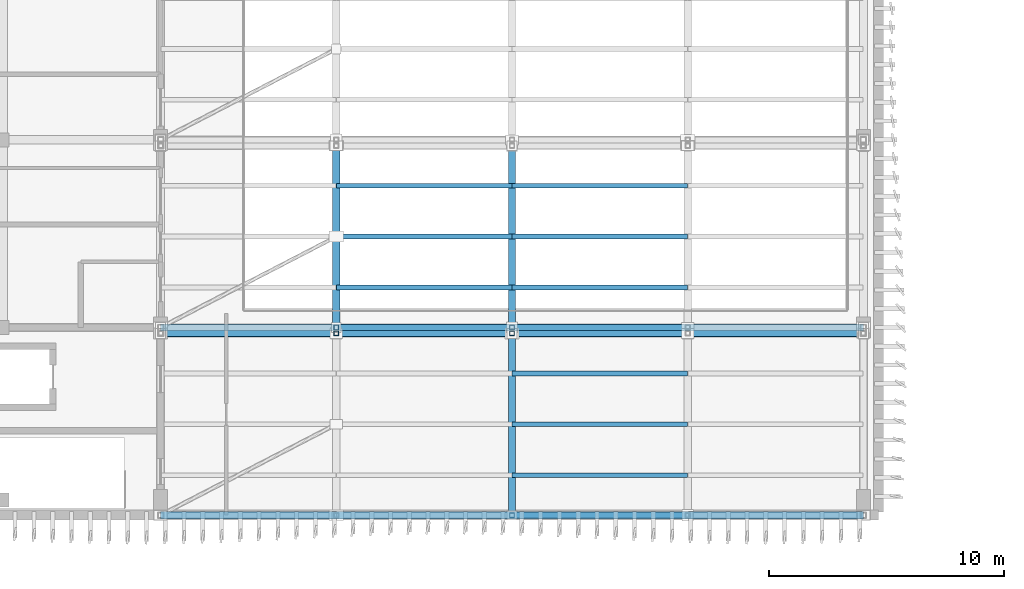
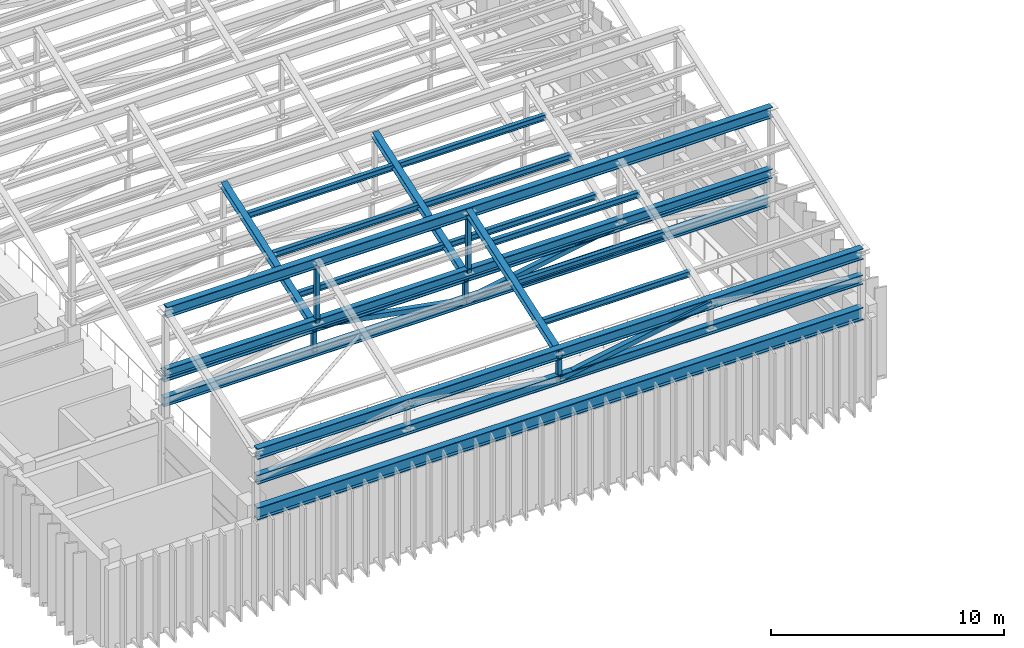
# One storey, part 4 of 76: 26 members, 1 beam.
"""IFC4 building model written with IfcOpenShell, lengths in metres."""

from ifc_helpers import new_model, si_unit, direction, frame, origin, origin_2d, place, context, subcontext, project, spatial, hollow_rectangle, i_section, extrude, material, material_profile, profile_set, type_object, element, save


model = new_model("IFC4")

# Units and contexts
model_context = context("Model", 3, precision=1e-05, world=origin(), true_north=direction((0.0, 1.0)))
body_context = subcontext(model_context, "Body", "Model", "MODEL_VIEW")
ifc_project = project(units=[si_unit("LENGTHUNIT", "METRE"), si_unit("AREAUNIT", "SQUARE_METRE"), si_unit("VOLUMEUNIT", "CUBIC_METRE"), si_unit("PLANEANGLEUNIT", "RADIAN"), si_unit("MASSUNIT", "GRAM", prefix="KILO")], contexts=[model_context])

# Site, building, storey
site_placement = place(None, origin())
site = spatial("IfcSite", under=ifc_project, at=site_placement, CompositionType="ELEMENT")
building_placement = place(site_placement, origin())
building = spatial("IfcBuilding", under=site, at=building_placement, Name="Cinchona Park Media Centre", CompositionType="ELEMENT")
storey_placement = place(building_placement, frame((0.0, 0.0, 15.60009765625)))
storey = spatial("IfcBuildingStorey", under=building, at=storey_placement, Name="L03", CompositionType="ELEMENT", Elevation=15.60009765625)

# Beam
ifc_material_1 = material(Name="Steel S355", Category="steel")
ifc_material_profile_1 = material_profile(ifc_material_1, i_section(OverallWidth=0.3291015625, OverallDepth=0.635009765625, WebThickness=0.017822265625, FlangeThickness=0.031005859375, at=origin_2d()), Name="W610X241")
ifc_profile_set_1 = profile_set([ifc_material_profile_1], Name="Steel S355")
beam_type = type_object("IfcBeamType", Name="BEAM-B05-W610X241", PredefinedType="BEAM", material=ifc_profile_set_1)
beam_placement = place(storey_placement, frame((15.39990234375, 7.60009765625, 4.47998046875), z_axis=(1.0, 0.0, 0.0), x_axis=(0.0, 1.0, 0.0)))
element("IfcBeam", 1, at=beam_placement, inside=storey, type_object=beam_type, Name="Sawtooth Crest Spandrel Girder B05 V1", PredefinedType="BEAM", context=body_context, shape_type="SweptSolid", body=[
    extrude(i_section(OverallWidth=0.3291015625, OverallDepth=0.635009765625, WebThickness=0.017822265625, FlangeThickness=0.031005859375, at=origin_2d()), origin(), (0.0, 0.0, 1.0), 29.960205078125),
])

# Members
ifc_material_2 = material(Name="Steel S355", Category="steel")
ifc_material_profile_2 = material_profile(ifc_material_2, i_section(OverallWidth=0.202880859375, OverallDepth=0.302978515625, WebThickness=0.007568359375, FlangeThickness=0.01318359375, at=origin_2d()), Name="W310X60")
ifc_profile_set_2 = profile_set([ifc_material_profile_2], Name="Steel S355")
member_type_1 = type_object("IfcMemberType", Name="MEMBER-PR01-W310X60", PredefinedType="PURLIN", material=ifc_profile_set_2)
for number, where, z_axis, x_axis, name in (
    (2, (30.389892578125, 9.304931640625, 8.1123046875), (1.0, 0.0, 0.0), (0.0, 1.0, 0.0), "Sawtooth Roof Purlin PR01"),
    (3, (30.389892578125, 11.47509765625, 8.868408203125), (1.0, 0.0, 0.0), (0.0, 1.0, 0.0), "Sawtooth Roof Purlin PR01"),
    (4, (30.389892578125, 13.64501953125, 9.62451171875), (1.0, 0.0, 0.0), (0.0, 1.0, 0.0), "Sawtooth Roof Purlin PR01"),
    (5, (22.89990234375, 17.304931640625, 7.3125), (1.0, 0.0, 0.0), (0.0, 1.0, 0.0), "Sawtooth Roof Purlin PR01"),
    (6, (30.389892578125, 17.304931640625, 7.3125), (1.0, 0.0, 0.0), (0.0, 1.0, 0.0), "Sawtooth Roof Purlin PR01"),
    (7, (22.89990234375, 19.47509765625, 8.068359375), (1.0, 0.0, 0.0), (0.0, 1.0, 0.0), "Sawtooth Roof Purlin PR01"),
    (8, (30.389892578125, 19.47509765625, 8.068359375), (1.0, 0.0, 0.0), (0.0, 1.0, 0.0), "Sawtooth Roof Purlin PR01"),
    (9, (22.89990234375, 21.64501953125, 8.824462890625), (1.0, 0.0, 0.0), (0.0, 1.0, 0.0), "Sawtooth Roof Purlin PR01"),
    (10, (30.389892578125, 21.64501953125, 8.824462890625), (1.0, 0.0, 0.0), (0.0, 1.0, 0.0), "Sawtooth Roof Purlin PR01"),
):
    element("IfcMember", number, at=place(storey_placement, frame(where, z_axis=z_axis, x_axis=x_axis)), inside=storey, type_object=member_type_1, Name=name, PredefinedType="PURLIN", context=body_context, shape_type="SweptSolid", body=[
        extrude(i_section(OverallWidth=0.202880859375, OverallDepth=0.302978515625, WebThickness=0.007568359375, FlangeThickness=0.01318359375, at=origin_2d()), origin(), (0.0, 0.0, 1.0), 7.47021484375),
    ])
ifc_material_3 = material(Name="Steel S355", Category="steel")
ifc_material_profile_3 = material_profile(ifc_material_3, i_section(OverallWidth=0.318115234375, OverallDepth=0.56005859375, WebThickness=0.018310546875, FlangeThickness=0.029296875, at=origin_2d()), Name="W530X219")
ifc_profile_set_3 = profile_set([ifc_material_profile_3], Name="Steel S355")
member_type_2 = type_object("IfcMemberType", Name="MEMBER-TC01-W530X219", PredefinedType="CHORD", material=ifc_profile_set_3)
for number, where, z_axis, x_axis, name in (
    (11, (15.39990234375, 7.60009765625, 7.599853515625), (1.0, 0.0, 0.0), (0.0, 1.0, 0.0), "ROOF TRUSS Top Chord V1 B1"),
    (12, (15.39990234375, 15.35009765625, 10.2998046875), (1.0, 0.0, 0.0), (0.0, 1.0, 0.0), "ROOF TRUSS Ridge Chord V1 Bay 1"),
    (13, (15.39990234375, 15.60009765625, 6.7998046875), (1.0, 0.0, 0.0), (0.0, 1.0, 0.0), "ROOF TRUSS Top Chord V1 B2"),
):
    element("IfcMember", number, at=place(storey_placement, frame(where, z_axis=z_axis, x_axis=x_axis)), inside=storey, type_object=member_type_2, Name=name, PredefinedType="CHORD", context=body_context, shape_type="SweptSolid", body=[
        extrude(i_section(OverallWidth=0.318115234375, OverallDepth=0.56005859375, WebThickness=0.018310546875, FlangeThickness=0.029296875, at=origin_2d()), origin(), (0.0, 0.0, 1.0), 29.960205078125),
    ])
ifc_material_4 = material(Name="Steel S355", Category="steel")
ifc_material_profile_4 = material_profile(ifc_material_4, i_section(OverallWidth=0.285888671875, OverallDepth=0.48193359375, WebThickness=0.0166015625, FlangeThickness=0.02685546875, at=origin_2d()), Name="W460X177")
ifc_profile_set_4 = profile_set([ifc_material_profile_4], Name="Steel S355")
member_type_3 = type_object("IfcMemberType", Name="MEMBER-TC02-W460X177", PredefinedType="CHORD", material=ifc_profile_set_4)
for number, where, z_axis, x_axis, name in (
    (14, (15.39990234375, 7.60009765625, 6.25), (1.0, 0.0, 0.0), (0.0, 1.0, 0.0), "ROOF TRUSS Bottom Chord V1 B1"),
    (15, (15.39990234375, 15.35009765625, 7.099853515625), (1.0, 0.0, 0.0), (0.0, 1.0, 0.0), "ROOF TRUSS Monitor Sill Chord V1 Bay 1"),
    (16, (15.39990234375, 15.60009765625, 5.449951171875), (1.0, 0.0, 0.0), (0.0, 1.0, 0.0), "ROOF TRUSS Bottom Chord V1 B2"),
):
    element("IfcMember", number, at=place(storey_placement, frame(where, z_axis=z_axis, x_axis=x_axis)), inside=storey, type_object=member_type_3, Name=name, PredefinedType="CHORD", context=body_context, shape_type="SweptSolid", body=[
        extrude(i_section(OverallWidth=0.285888671875, OverallDepth=0.48193359375, WebThickness=0.0166015625, FlangeThickness=0.02685546875, at=origin_2d()), origin(), (0.0, 0.0, 1.0), 29.960205078125),
    ])
ifc_material_5 = material(Name="Steel S355", Category="steel")
ifc_material_profile_5 = material_profile(ifc_material_5, hollow_rectangle(XDim=0.199951171875, YDim=0.199951171875, WallThickness=0.012451171875, at=origin_2d()), Name="200X200X12.5SHS")
ifc_profile_set_5 = profile_set([ifc_material_profile_5], Name="Steel S355")
member_type_4 = type_object("IfcMemberType", Name="MEMBER-TS01-SHS200X200X12.5", PredefinedType="STRUT", material=ifc_profile_set_5)
member_1_placement = place(storey_placement, frame((30.3798828125, 7.60009765625, 6.25), z_axis=(0.0, 0.0, 1.0), x_axis=(1.0, 0.0, 0.0)))
element("IfcMember", 17, at=member_1_placement, inside=storey, type_object=member_type_4, Name="ROOF TRUSS Vertical Strut TN2", PredefinedType="STRUT", context=body_context, shape_type="SweptSolid", body=[
    extrude(hollow_rectangle(XDim=0.199951171875, YDim=0.199951171875, WallThickness=0.012451171875, at=origin_2d()), origin(), (0.0, 0.0, 1.0), 1.349853515625),
])
for number, where, z_axis, x_axis, name in (
    (18, (22.889892578125, 15.35009765625, 7.099853515625), (0.0, 0.0, 1.0), (1.0, 0.0, 0.0), "ROOF TRUSS Monitor Post V1 Bay 1"),
    (19, (30.3798828125, 15.35009765625, 7.099853515625), (0.0, 0.0, 1.0), (1.0, 0.0, 0.0), "ROOF TRUSS Monitor Post V1 Bay 1"),
):
    element("IfcMember", number, at=place(storey_placement, frame(where, z_axis=z_axis, x_axis=x_axis)), inside=storey, type_object=member_type_4, Name=name, PredefinedType="STRUT", context=body_context, shape_type="SweptSolid", body=[
        extrude(hollow_rectangle(XDim=0.199951171875, YDim=0.199951171875, WallThickness=0.012451171875, at=origin_2d()), origin(), (0.0, 0.0, 1.0), 3.199951171875),
    ])
for number, where, z_axis, x_axis, name in (
    (20, (22.889892578125, 15.60009765625, 5.449951171875), (0.0, 0.0, 1.0), (1.0, 0.0, 0.0), "ROOF TRUSS Vertical Strut TN1"),
    (21, (30.3798828125, 15.60009765625, 5.449951171875), (0.0, 0.0, 1.0), (1.0, 0.0, 0.0), "ROOF TRUSS Vertical Strut TN2"),
):
    element("IfcMember", number, at=place(storey_placement, frame(where, z_axis=z_axis, x_axis=x_axis)), inside=storey, type_object=member_type_4, Name=name, PredefinedType="STRUT", context=body_context, shape_type="SweptSolid", body=[
        extrude(hollow_rectangle(XDim=0.199951171875, YDim=0.199951171875, WallThickness=0.012451171875, at=origin_2d()), origin(), (0.0, 0.0, 1.0), 1.349853515625),
    ])
ifc_material_6 = material(Name="Steel S355", Category="steel")
ifc_material_profile_6 = material_profile(ifc_material_6, hollow_rectangle(XDim=0.25, YDim=0.25, WallThickness=0.01611328125, at=origin_2d()), Name="250X250X16SHS")
ifc_profile_set_6 = profile_set([ifc_material_profile_6], Name="Steel S355")
member_type_5 = type_object("IfcMemberType", Name="MEMBER-TS02-SHS250X250X16", PredefinedType="STRUT", material=ifc_profile_set_6)
member_2_placement = place(storey_placement, frame((30.3798828125, 7.60009765625, 6.25), z_axis=(0.984146390166, 0.0, 0.177358063599), x_axis=(0.0, 1.0, 0.0)))
element("IfcMember", 22, at=member_2_placement, inside=storey, type_object=member_type_5, Name="ROOF TRUSS Web Diagonal TN3", PredefinedType="STRUT", context=body_context, shape_type="SweptSolid", body=[
    extrude(hollow_rectangle(XDim=0.25, YDim=0.25, WallThickness=0.01611328125, at=origin_2d()), origin(), (0.0, 0.0, 1.0), 7.61083984375),
])
member_3_placement = place(storey_placement, frame((22.889892578125, 15.60009765625, 6.7998046875), z_axis=(0.984145381083, 0.0, -0.177363662832), x_axis=(0.0, 1.0, 0.0)))
element("IfcMember", 23, at=member_3_placement, inside=storey, type_object=member_type_5, Name="ROOF TRUSS Web Diagonal TN2", PredefinedType="STRUT", context=body_context, shape_type="SweptSolid", body=[
    extrude(hollow_rectangle(XDim=0.25, YDim=0.25, WallThickness=0.01611328125, at=origin_2d()), origin(), (0.0, 0.0, 1.0), 7.610595703125),
])
member_4_placement = place(storey_placement, frame((30.3798828125, 15.60009765625, 5.449951171875), z_axis=(0.984146390166, 0.0, 0.177358063599), x_axis=(0.0, 1.0, 0.0)))
element("IfcMember", 24, at=member_4_placement, inside=storey, type_object=member_type_5, Name="ROOF TRUSS Web Diagonal TN3", PredefinedType="STRUT", context=body_context, shape_type="SweptSolid", body=[
    extrude(hollow_rectangle(XDim=0.25, YDim=0.25, WallThickness=0.01611328125, at=origin_2d()), origin(), (0.0, 0.0, 1.0), 7.61083984375),
])
ifc_material_7 = material(Name="Steel S355", Category="steel")
ifc_material_profile_7 = material_profile(ifc_material_7, i_section(OverallWidth=0.304931640625, OverallDepth=0.30810546875, WebThickness=0.010009765625, FlangeThickness=0.015380859375, at=origin_2d()), Name="W310X97")
ifc_profile_set_7 = profile_set([ifc_material_profile_7], Name="Steel S355")
member_type_6 = type_object("IfcMemberType", Name="MEMBER-TS06-W310X97", PredefinedType="STRUT", material=ifc_profile_set_7)
member_5_placement = place(storey_placement, frame((30.3798828125, 7.60009765625, 7.599853515625), z_axis=(0.0, 0.944334143314, 0.328987880888), x_axis=(-1.0, 0.0, 0.0)))
element("IfcMember", 25, at=member_5_placement, inside=storey, type_object=member_type_6, Name="ROOF TRUSS Sawtooth Rafter V1 Bay 1", PredefinedType="STRUT", context=body_context, shape_type="SweptSolid", body=[
    extrude(i_section(OverallWidth=0.304931640625, OverallDepth=0.30810546875, WebThickness=0.010009765625, FlangeThickness=0.015380859375, at=origin_2d()), origin(), (0.0, 0.0, 1.0), 8.206787109375),
])
for number, where, z_axis, x_axis, name in (
    (26, (22.889892578125, 15.60009765625, 6.7998046875), (0.0, 0.944324900954, 0.329014409165), (-1.0, 0.0, 0.0), "ROOF TRUSS Sawtooth Rafter V1 Bay 2"),
    (27, (30.3798828125, 15.60009765625, 6.7998046875), (0.0, 0.944324900954, 0.329014409165), (-1.0, 0.0, 0.0), "ROOF TRUSS Sawtooth Rafter V1 Bay 2"),
):
    element("IfcMember", number, at=place(storey_placement, frame(where, z_axis=z_axis, x_axis=x_axis)), inside=storey, type_object=member_type_6, Name=name, PredefinedType="STRUT", context=body_context, shape_type="SweptSolid", body=[
        extrude(i_section(OverallWidth=0.304931640625, OverallDepth=0.30810546875, WebThickness=0.010009765625, FlangeThickness=0.015380859375, at=origin_2d()), origin(), (0.0, 0.0, 1.0), 8.20703125),
    ])

save(model, "model.ifc")
